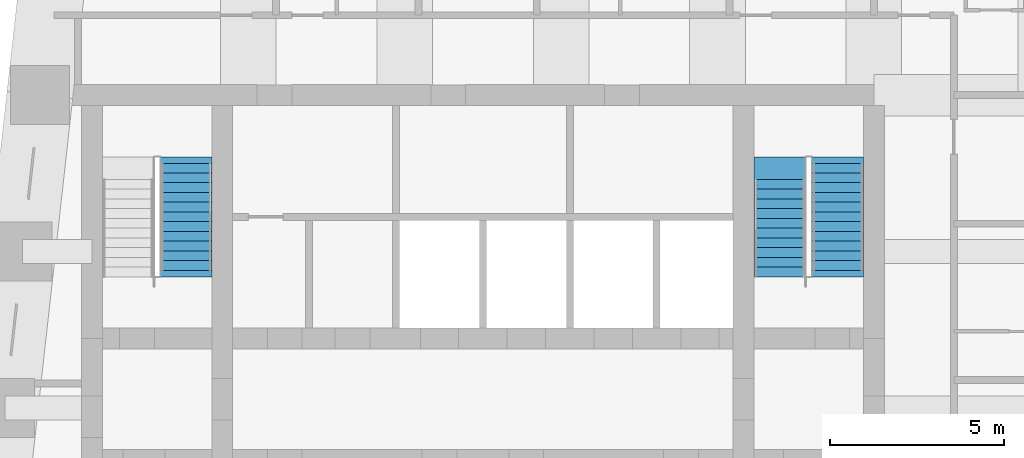
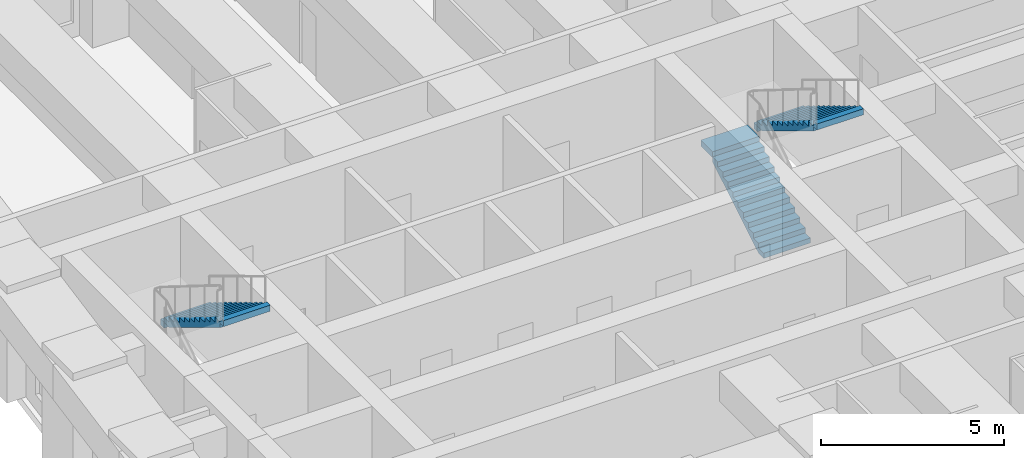
# One storey, part 6 of 7: 3 stair flights, 2 elements without a shape of their own.
"""IFC4 building model written with IfcOpenShell, lengths in metres."""

from ifc_helpers import new_model, si_unit, direction, frame, origin, place, context, subcontext, project, spatial, polyline, outline, extrude, material, type_object, element, aggregate, save


model = new_model("IFC4")

# Units and contexts
model_context = context("Model", 3, precision=1e-05, world=origin(), true_north=direction((0.0, 1.0)))
body_context = subcontext(model_context, "Body", "Model", "MODEL_VIEW")
ifc_project = project(units=[si_unit("LENGTHUNIT", "METRE"), si_unit("AREAUNIT", "SQUARE_METRE"), si_unit("VOLUMEUNIT", "CUBIC_METRE"), si_unit("PLANEANGLEUNIT", "RADIAN"), si_unit("MASSUNIT", "GRAM", prefix="KILO")], contexts=[model_context])

# Site, building, storey
site_placement = place(None, origin())
site = spatial("IfcSite", under=ifc_project, at=site_placement, CompositionType="ELEMENT")
building_placement = place(site_placement, origin())
building = spatial("IfcBuilding", under=site, at=building_placement, Name="Kilele Tower Hotel", CompositionType="ELEMENT")
storey_placement = place(building_placement, frame((0.0, 0.0, 233.0)))
storey = spatial("IfcBuildingStorey", under=building, at=storey_placement, Name="L60", CompositionType="ELEMENT", Elevation=233.0)

# Stair, stair flight
ifc_material_1 = material(Name="Precast concrete C40/50", Category="concrete")
stair_type = type_object("IfcStairType", Name="Stair 1475 x 3900", PredefinedType="HALF_TURN_STAIR", material=ifc_material_1)
stair_1_placement = place(storey_placement, origin())
stair_1 = element("IfcStair", 1, at=stair_1_placement, inside=storey, type_object=stair_type, Name="Stair 1 L60", PredefinedType="HALF_TURN_STAIR")
ifc_material_2 = material(Name="Precast concrete C40/50", Category="concrete")
stair_flight_type = type_object("IfcStairFlightType", Name="Flight 1475 riser 169.6", PredefinedType="STRAIGHT", material=ifc_material_2)
stair_flight_1_placement = place(storey_placement, frame((16.21240234375, 25.0400390625, 1.865234375), z_axis=(0.0, 0.0, 1.0), x_axis=(0.0, -1.0, 0.0)))
stair_flight_1 = element("IfcStairFlight", 2, at=stair_flight_1_placement, type_object=stair_flight_type, Name="ST1 flight 2", NumberOfRisers=12, NumberOfTreads=11, PredefinedType="STRAIGHT", RiserHeight=0.169565217, TreadLength=0.28, context=body_context, shape_type="SweptSolid", body=[
    extrude(outline(polyline([(0.0, 0.0), (0.0, 0.169677734375), (0.280029296875, 0.169677734375), (0.280029296875, 0.339111328125), (0.56005859375, 0.339111328125), (0.56005859375, 0.5087890625), (0.840087890625, 0.5087890625), (0.840087890625, 0.67822265625), (1.1201171875, 0.67822265625), (1.1201171875, 0.847900390625), (1.39990234375, 0.847900390625), (1.39990234375, 1.017333984375), (1.679931640625, 1.017333984375), (1.679931640625, 1.18701171875), (1.9599609375, 1.18701171875), (1.9599609375, 1.3564453125), (2.239990234375, 1.3564453125), (2.239990234375, 1.526123046875), (2.52001953125, 1.526123046875), (2.52001953125, 1.695556640625), (2.800048828125, 1.695556640625), (2.800048828125, 1.865234375), (3.080078125, 1.865234375), (3.080078125, 2.03466796875), (3.080078125, 1.68994140625), (0.289306640625, 0.0), (0.0, 0.0)])), frame((0.0, 0.737548828125, 0.0), z_axis=(0.0, -1.0, 0.0), x_axis=(1.0, 0.0, 0.0)), (0.0, 0.0, 1.0), 1.47509765625),
    extrude(outline(polyline([(0.0, -0.7373046875), (0.0, 0.737548828125), (-0.18505859375, 0.737548828125), (-0.18505859375, -0.7373046875), (0.0, -0.7373046875)])), frame((0.0, 0.0, -0.199951171875)), (0.0, 0.0, 1.0), 0.199951171875),
    extrude(outline(polyline([(3.26513671875, -0.7373046875), (3.26513671875, 0.737548828125), (3.080078125, 0.737548828125), (3.080078125, -0.7373046875), (3.26513671875, -0.7373046875)])), frame((0.0, 0.0, 1.834716796875)), (0.0, 0.0, 1.0), 0.199951171875),
])
aggregate(stair_1, [stair_flight_1])

# Stair, stair flights
stair_2_placement = place(storey_placement, origin())
stair_2 = element("IfcStair", 3, at=stair_2_placement, inside=storey, type_object=stair_type, Name="Stair 2 L60", PredefinedType="HALF_TURN_STAIR")
stair_flight_2_placement = place(storey_placement, frame((33.28759765625, 21.77490234375, 0.0), z_axis=(0.0, 0.0, 1.0), x_axis=(0.0, 1.0, 0.0)))
stair_flight_2 = element("IfcStairFlight", 4, at=stair_flight_2_placement, type_object=stair_flight_type, Name="ST2 flight 1", NumberOfRisers=11, NumberOfTreads=10, PredefinedType="STRAIGHT", RiserHeight=0.169565217, TreadLength=0.28, context=body_context, shape_type="SweptSolid", body=[
    extrude(outline(polyline([(0.0, 0.0), (0.0, 0.169677734375), (0.280029296875, 0.169677734375), (0.280029296875, 0.339111328125), (0.56005859375, 0.339111328125), (0.56005859375, 0.5087890625), (0.840087890625, 0.5087890625), (0.840087890625, 0.67822265625), (1.1201171875, 0.67822265625), (1.1201171875, 0.847900390625), (1.39990234375, 0.847900390625), (1.39990234375, 1.017333984375), (1.679931640625, 1.017333984375), (1.679931640625, 1.18701171875), (1.9599609375, 1.18701171875), (1.9599609375, 1.3564453125), (2.239990234375, 1.3564453125), (2.239990234375, 1.526123046875), (2.52001953125, 1.526123046875), (2.52001953125, 1.695556640625), (2.800048828125, 1.695556640625), (2.800048828125, 1.865234375), (2.800048828125, 1.5205078125), (0.289306640625, 0.0), (0.0, 0.0)])), frame((0.0, 0.737548828125, 0.0), z_axis=(0.0, -1.0, 0.0), x_axis=(1.0, 0.0, 0.0)), (0.0, 0.0, 1.0), 1.47509765625),
    extrude(outline(polyline([(2.800048828125, 0.737548828125), (2.800048828125, -0.7373046875), (3.4501953125, -0.7373046875), (3.4501953125, 0.737548828125), (2.800048828125, 0.737548828125)])), frame((0.0, 0.0, 1.665283203125)), (0.0, 0.0, 1.0), 0.199951171875),
])
stair_flight_3_placement = place(storey_placement, frame((34.96240234375, 25.0400390625, 1.865234375), z_axis=(0.0, 0.0, 1.0), x_axis=(0.0, -1.0, 0.0)))
stair_flight_3 = element("IfcStairFlight", 5, at=stair_flight_3_placement, type_object=stair_flight_type, Name="ST2 flight 2", NumberOfRisers=12, NumberOfTreads=11, PredefinedType="STRAIGHT", RiserHeight=0.169565217, TreadLength=0.28, context=body_context, shape_type="SweptSolid", body=[
    extrude(outline(polyline([(0.0, 0.0), (0.0, 0.169677734375), (0.280029296875, 0.169677734375), (0.280029296875, 0.339111328125), (0.56005859375, 0.339111328125), (0.56005859375, 0.5087890625), (0.840087890625, 0.5087890625), (0.840087890625, 0.67822265625), (1.1201171875, 0.67822265625), (1.1201171875, 0.847900390625), (1.39990234375, 0.847900390625), (1.39990234375, 1.017333984375), (1.679931640625, 1.017333984375), (1.679931640625, 1.18701171875), (1.9599609375, 1.18701171875), (1.9599609375, 1.3564453125), (2.239990234375, 1.3564453125), (2.239990234375, 1.526123046875), (2.52001953125, 1.526123046875), (2.52001953125, 1.695556640625), (2.800048828125, 1.695556640625), (2.800048828125, 1.865234375), (3.080078125, 1.865234375), (3.080078125, 2.03466796875), (3.080078125, 1.68994140625), (0.289306640625, 0.0), (0.0, 0.0)])), frame((0.0, 0.737548828125, 0.0), z_axis=(0.0, -1.0, 0.0), x_axis=(1.0, 0.0, 0.0)), (0.0, 0.0, 1.0), 1.47509765625),
    extrude(outline(polyline([(0.0, -0.7373046875), (0.0, 0.737548828125), (-0.18505859375, 0.737548828125), (-0.18505859375, -0.7373046875), (0.0, -0.7373046875)])), frame((0.0, 0.0, -0.199951171875)), (0.0, 0.0, 1.0), 0.199951171875),
    extrude(outline(polyline([(3.26513671875, -0.7373046875), (3.26513671875, 0.737548828125), (3.080078125, 0.737548828125), (3.080078125, -0.7373046875), (3.26513671875, -0.7373046875)])), frame((0.0, 0.0, 1.834716796875)), (0.0, 0.0, 1.0), 0.199951171875),
])
aggregate(stair_2, [stair_flight_2, stair_flight_3])

save(model, "model.ifc")
